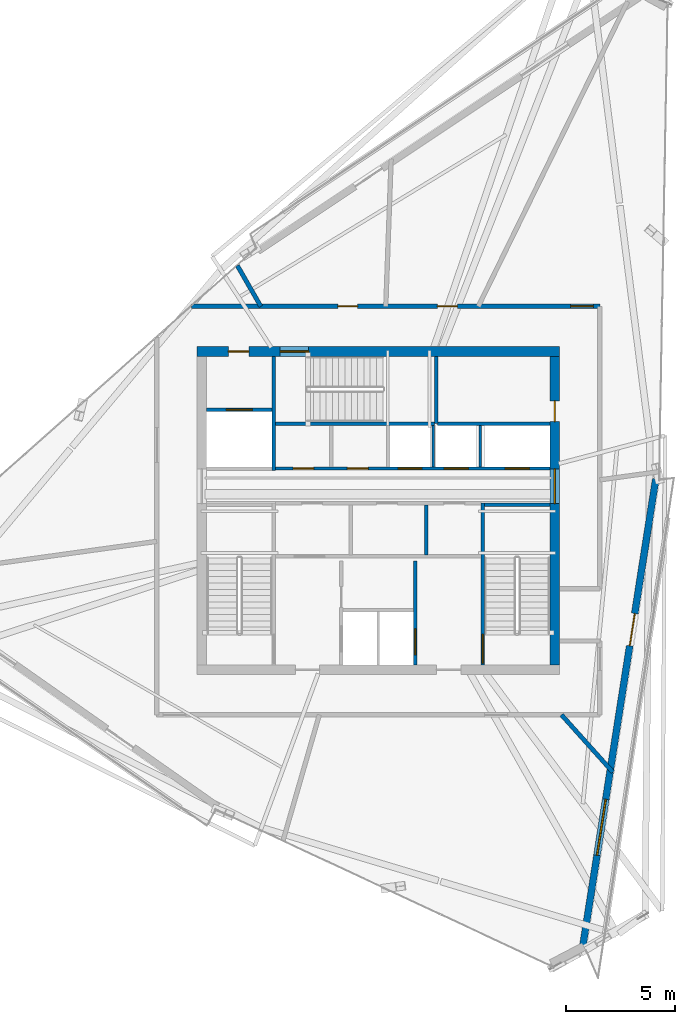
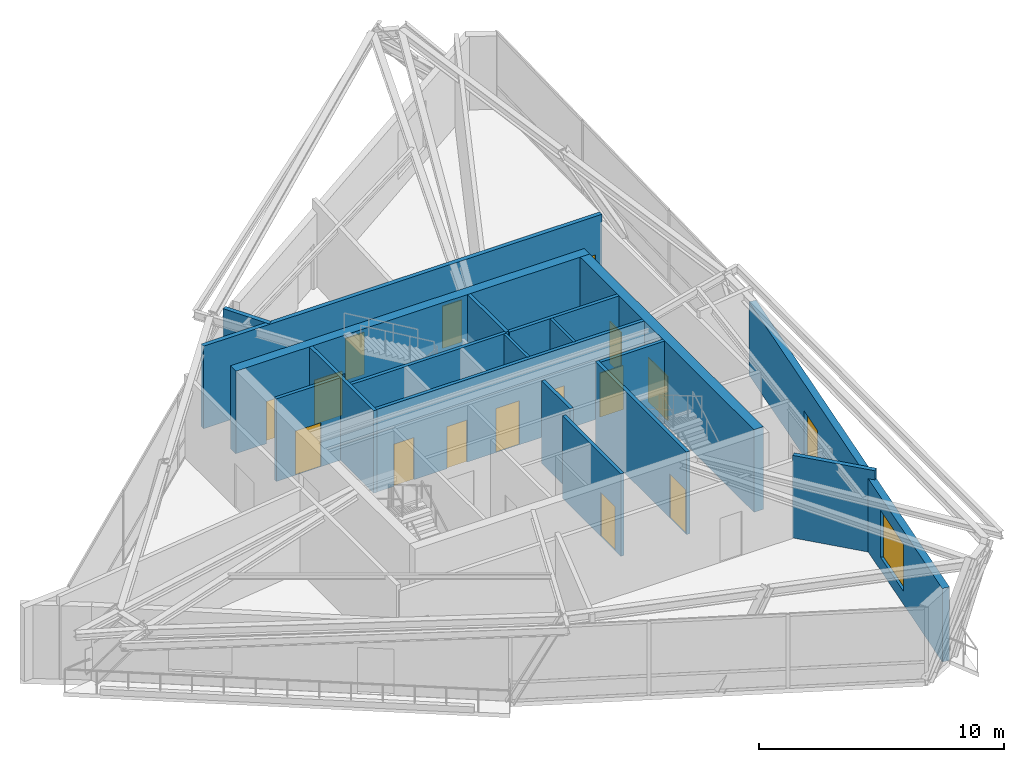
# One storey, part 18 of 22: 18 walls, 16 doors, 1 window, 17 openings.
"""IFC4 building model written with IfcOpenShell, lengths in metres."""

from ifc_helpers import new_model, si_unit, direction, frame, frame_2d, origin, place, context, subcontext, project, spatial, rectangle, extrude, source, transform, mapped, material, layer, layer_set, type_object, type_shapes, element, fill, save


model = new_model("IFC4")

# Units and contexts
model_context = context("Model", 3, precision=1e-05, world=origin(), true_north=direction((0.0, 1.0)))
body_context = subcontext(model_context, "Body", "Model", "MODEL_VIEW")
ifc_project = project(units=[si_unit("LENGTHUNIT", "METRE"), si_unit("AREAUNIT", "SQUARE_METRE"), si_unit("VOLUMEUNIT", "CUBIC_METRE"), si_unit("PLANEANGLEUNIT", "RADIAN"), si_unit("MASSUNIT", "GRAM", prefix="KILO")], contexts=[model_context])

# Site, building, storey
site_placement = place(None, origin())
site = spatial("IfcSite", under=ifc_project, at=site_placement, CompositionType="ELEMENT")
building_placement = place(site_placement, origin())
building = spatial("IfcBuilding", under=site, at=building_placement, Name="Olszyna Solenne Hotel", CompositionType="ELEMENT")
storey_placement = place(building_placement, frame((0.0, 0.0, 286.10009765625)))
storey = spatial("IfcBuildingStorey", under=building, at=storey_placement, Name="L76", CompositionType="ELEMENT", Elevation=286.10009765625)

# Wall, openings, doors
ifc_material_1 = material(Name="Concrete C50/60", Category="concrete")
ifc_layer_1 = layer(ifc_material_1, 0.449951171875, Name="Concrete C50/60")
ifc_layer_set_1 = layer_set([ifc_layer_1], Name="Concrete C50/60")
wall_type_1 = type_object("IfcWallType", Name="WL-CR450", PredefinedType="SHEAR", material=ifc_layer_set_1)
wall_1_placement = place(storey_placement, frame((29.64990234375, 33.925048828125, 0.0), z_axis=(0.0, 0.0, 1.0), x_axis=(1.0, 0.0, 0.0)))
wall_1 = element("IfcWall", 1, at=wall_1_placement, inside=storey, type_object=wall_type_1, Name="Core shear wall WL-CR450 CRW-L76-N", PredefinedType="SHEAR", context=body_context, shape_type="SweptSolid", body=[
    extrude(rectangle(XDim=16.7001953125, YDim=0.449951171875, at=frame_2d((8.35009765625, 0.0))), origin(), (0.0, 0.0, 1.0), 4.119873046875),
])
opening_1_placement = place(wall_1_placement, frame((1.449951171875, 0.0, 0.0)))
opening_1 = element("IfcOpeningElement", 2, at=opening_1_placement, cuts=wall_1, Name="Opening SVD-L76-01", PredefinedType="OPENING", context=body_context, shape_type="SweptSolid", body=[
    extrude(rectangle(XDim=0.949951171875, YDim=2.10009765625, at=frame_2d((0.47509765625, 1.050048828125))), frame((0.0, 0.23486328125, 0.0), z_axis=(0.0, -1.0, 0.0), x_axis=(1.0, 0.0, 0.0)), (0.0, 0.0, 1.0), 0.469970703125),
])
opening_2_placement = place(wall_1_placement, frame((3.830078125, 0.0, 0.0)))
opening_2 = element("IfcOpeningElement", 3, at=opening_2_placement, cuts=wall_1, Name="Opening STD-L76-03", PredefinedType="OPENING", context=body_context, shape_type="SweptSolid", body=[
    extrude(rectangle(XDim=1.320068359375, YDim=2.199951171875, at=frame_2d((0.66015625, 1.10009765625))), frame((0.0, 0.23486328125, 0.0), z_axis=(0.0, -1.0, 0.0), x_axis=(1.0, 0.0, 0.0)), (0.0, 0.0, 1.0), 0.469970703125),
])
ifc_material_2 = material(Name="Steel S355J2", Category="steel")
door_type_1 = type_object("IfcDoorType", Name="DR-ST1", OperationType="NOTDEFINED", PredefinedType="DOOR", material=ifc_material_2)
shared_shape_1 = source(origin(), body_context, "Body", "SweptSolid", [
    extrude(rectangle(XDim=1.320068359375, YDim=2.199951171875, at=frame_2d((0.66015625, 1.10009765625))), frame((0.0, 0.02490234375, 0.0), z_axis=(0.0, -1.0, 0.0), x_axis=(1.0, 0.0, 0.0)), (0.0, 0.0, 1.0), 0.050048828125),
])
type_shapes(door_type_1, [shared_shape_1])
door_1_placement = place(opening_2_placement, origin())
door_1 = element("IfcDoor", 4, at=door_1_placement, inside=storey, type_object=door_type_1, Name="Pressurised exit stair ST3 fire door STD-L76-03", OperationType="SINGLE_SWING_RIGHT", OverallHeight=2.199951171875, OverallWidth=1.320068359375, PredefinedType="DOOR", context=body_context, shape_type="MappedRepresentation", body=[
    mapped(shared_shape_1, transform((0.0, 0.0, 0.0), x_axis=(1.0, 0.0, 0.0), y_axis=(0.0, 1.0, 0.0), z_axis=(0.0, 0.0, 1.0), scale=1.0)),
])
fill(opening_2, door_1)
door_type_2 = type_object("IfcDoorType", Name="DR-SV1", OperationType="NOTDEFINED", PredefinedType="DOOR", material=ifc_material_2)
shared_shape_2 = source(origin(), body_context, "Body", "SweptSolid", [
    extrude(rectangle(XDim=0.949951171875, YDim=2.10009765625, at=frame_2d((0.47509765625, 1.050048828125))), frame((0.0, 0.02490234375, 0.0), z_axis=(0.0, -1.0, 0.0), x_axis=(1.0, 0.0, 0.0)), (0.0, 0.0, 1.0), 0.050048828125),
])
type_shapes(door_type_2, [shared_shape_2])
door_2_placement = place(opening_1_placement, origin())
door_2 = element("IfcDoor", 5, at=door_2_placement, inside=storey, type_object=door_type_2, Name="Service lift lobby fire door SVD-L76-01", OperationType="SINGLE_SWING_LEFT", OverallHeight=2.10009765625, OverallWidth=0.949951171875, PredefinedType="DOOR", context=body_context, shape_type="MappedRepresentation", body=[
    mapped(shared_shape_2, transform((0.0, 0.0, 0.0), x_axis=(1.0, 0.0, 0.0), y_axis=(0.0, 1.0, 0.0), z_axis=(0.0, 0.0, 1.0), scale=1.0)),
])
fill(opening_1, door_2)

wall_2_placement = place(storey_placement, frame((46.125, 33.699951171875, 0.0), z_axis=(0.0, 0.0, 1.0), x_axis=(0.0, -1.0, 0.0)))
wall_2 = element("IfcWall", 6, at=wall_2_placement, inside=storey, type_object=wall_type_1, Name="Core shear wall WL-CR450 CRW-L76-E", PredefinedType="SHEAR", context=body_context, shape_type="SweptSolid", body=[
    extrude(rectangle(XDim=14.199951171875, YDim=0.449951171875, at=frame_2d((7.10009765625, 0.0))), origin(), (0.0, 0.0, 1.0), 4.119873046875),
])
opening_3_placement = place(wall_2_placement, frame((5.179931640625, 0.0, 0.0)))
opening_3 = element("IfcOpeningElement", 7, at=opening_3_placement, cuts=wall_2, Name="Opening LHD-L76-E", PredefinedType="OPENING", context=body_context, shape_type="SweptSolid", body=[
    extrude(rectangle(XDim=1.60009765625, YDim=2.199951171875, at=frame_2d((0.800048828125, 1.10009765625))), frame((0.0, 0.23486328125, 0.0), z_axis=(0.0, -1.0, 0.0), x_axis=(1.0, 0.0, 0.0)), (0.0, 0.0, 1.0), 0.469970703125),
])
opening_4_placement = place(wall_2_placement, frame((2.050048828125, 0.0, 0.0)))
opening_4 = element("IfcOpeningElement", 8, at=opening_4_placement, cuts=wall_2, Name="Opening SVD-L76-BE", PredefinedType="OPENING", context=body_context, shape_type="SweptSolid", body=[
    extrude(rectangle(XDim=0.949951171875, YDim=2.10009765625, at=frame_2d((0.47509765625, 1.050048828125))), frame((0.0, 0.23486328125, 0.0), z_axis=(0.0, -1.0, 0.0), x_axis=(1.0, 0.0, 0.0)), (0.0, 0.0, 1.0), 0.469970703125),
])
door_3_placement = place(opening_4_placement, origin())
door_3 = element("IfcDoor", 9, at=door_3_placement, inside=storey, type_object=door_type_2, Name="Housekeeping core fire door SVD-L76-BE", OperationType="SINGLE_SWING_RIGHT", OverallHeight=2.10009765625, OverallWidth=0.949951171875, PredefinedType="DOOR", context=body_context, shape_type="MappedRepresentation", body=[
    mapped(shared_shape_2, transform((0.0, 0.0, 0.0), x_axis=(1.0, 0.0, 0.0), y_axis=(0.0, 1.0, 0.0), z_axis=(0.0, 0.0, 1.0), scale=1.0)),
])
fill(opening_4, door_3)
ifc_material_3 = material(Name="Timber hardwood", Category="wood")
door_type_3 = type_object("IfcDoorType", Name="DR-CR1", OperationType="DOUBLE_DOOR_SINGLE_SWING", PredefinedType="DOOR", material=ifc_material_3)
shared_shape_3 = source(origin(), body_context, "Body", "SweptSolid", [
    extrude(rectangle(XDim=1.60009765625, YDim=2.199951171875, at=frame_2d((0.800048828125, 1.10009765625))), frame((0.0, 0.02490234375, 0.0), z_axis=(0.0, -1.0, 0.0), x_axis=(1.0, 0.0, 0.0)), (0.0, 0.0, 1.0), 0.050048828125),
])
type_shapes(door_type_3, [shared_shape_3])
door_4_placement = place(opening_3_placement, origin())
door_4 = element("IfcDoor", 10, at=door_4_placement, inside=storey, type_object=door_type_3, Name="Passenger lift lobby East fire door LHD-L76-E", OperationType="DOUBLE_DOOR_SINGLE_SWING", OverallHeight=2.199951171875, OverallWidth=1.60009765625, PredefinedType="DOOR", context=body_context, shape_type="MappedRepresentation", body=[
    mapped(shared_shape_3, transform((0.0, 0.0, 0.0), x_axis=(1.0, 0.0, 0.0), y_axis=(0.0, 1.0, 0.0), z_axis=(0.0, 0.0, 1.0), scale=1.0)),
])
fill(opening_3, door_4)

# Wall, openings, door, window
ifc_material_4 = material(Name="Precast concrete C45/55", Category="concrete")
ifc_layer_2 = layer(ifc_material_4, 0.320068359375, Name="Precast concrete C45/55")
ifc_layer_set_2 = layer_set([ifc_layer_2], Name="Precast concrete C45/55")
wall_type_2 = type_object("IfcWallType", Name="WL-EX320", PredefinedType="SOLIDWALL", material=ifc_layer_set_2)
wall_3_placement = place(storey_placement, frame((50.774169921875, 28.054931640625, 0.0), z_axis=(0.0, 0.0, 1.0), x_axis=(-0.154256631158, -0.988030815179, 0.0)))
wall_3 = element("IfcWall", 11, at=wall_3_placement, inside=storey, type_object=wall_type_2, Name="Exterior terracotta-precast frame wall WL-EX320 EW-L76-01", PredefinedType="SOLIDWALL", context=body_context, shape_type="SweptSolid", body=[
    extrude(rectangle(XDim=21.925048828125, YDim=0.320068359375, at=frame_2d((10.96240234375, 0.0))), origin(), (0.0, 0.0, 1.0), 3.661865234375),
])
opening_5_placement = place(wall_3_placement, frame((6.26611328125, 0.0, 0.0)))
opening_5 = element("IfcOpeningElement", 12, at=opening_5_placement, cuts=wall_3, Name="Opening LDG-L76-3", PredefinedType="OPENING", context=body_context, shape_type="SweptSolid", body=[
    extrude(rectangle(XDim=1.5, YDim=2.300048828125, at=frame_2d((0.75, 1.14990234375))), frame((0.0, 0.169921875, 0.0), z_axis=(0.0, -1.0, 0.0), x_axis=(1.0, 0.0, 0.0)), (0.0, 0.0, 1.0), 0.340087890625),
])
opening_6_placement = place(wall_3_placement, frame((14.924072265625, 0.0, 0.64990234375)))
opening_6 = element("IfcOpeningElement", 13, at=opening_6_placement, cuts=wall_3, Name="Opening WN-L76-500", PredefinedType="OPENING", context=body_context, shape_type="SweptSolid", body=[
    extrude(rectangle(XDim=2.60009765625, YDim=2.35009765625, at=frame_2d((1.300048828125, 1.175048828125))), frame((0.0, 0.169921875, 0.0), z_axis=(0.0, -1.0, 0.0), x_axis=(1.0, 0.0, 0.0)), (0.0, 0.0, 1.0), 0.340087890625),
])
ifc_material_5 = material(Name="Anodised bronze aluminium", Category="aluminium")
door_type_4 = type_object("IfcDoorType", Name="DR-LG2", OperationType="DOUBLE_DOOR_SINGLE_SWING", PredefinedType="DOOR", material=ifc_material_5)
shared_shape_4 = source(origin(), body_context, "Body", "SweptSolid", [
    extrude(rectangle(XDim=1.5, YDim=2.300048828125, at=frame_2d((0.75, 1.14990234375))), frame((0.0, 0.02490234375, 0.0), z_axis=(0.0, -1.0, 0.0), x_axis=(1.0, 0.0, 0.0)), (0.0, 0.0, 1.0), 0.050048828125),
])
type_shapes(door_type_4, [shared_shape_4])
door_5_placement = place(opening_5_placement, origin())
door_5 = element("IfcDoor", 14, at=door_5_placement, inside=storey, type_object=door_type_4, Name="Exterior loggia balcony door DR-LG2 LDG-L76-3", OperationType="DOUBLE_DOOR_SINGLE_SWING", OverallHeight=2.300048828125, OverallWidth=1.5, PredefinedType="DOOR", context=body_context, shape_type="MappedRepresentation", body=[
    mapped(shared_shape_4, transform((0.0, 0.0, 0.0), x_axis=(1.0, 0.0, 0.0), y_axis=(0.0, 1.0, 0.0), z_axis=(0.0, 0.0, 1.0), scale=1.0)),
])
fill(opening_5, door_5)
ifc_material_6 = material(Name="Low-E triple glazing", Category="glass")
window_type = type_object("IfcWindowType", Name="WN-ST1", PartitioningType="SINGLE_PANEL", PredefinedType="WINDOW", material=ifc_material_6)
shared_shape_5 = source(origin(), body_context, "Body", "SweptSolid", [
    extrude(rectangle(XDim=2.60009765625, YDim=2.35009765625, at=frame_2d((1.300048828125, 1.175048828125))), frame((0.0, 0.030029296875, 0.0), z_axis=(0.0, -1.0, 0.0), x_axis=(1.0, 0.0, 0.0)), (0.0, 0.0, 1.0), 0.06005859375),
])
type_shapes(window_type, [shared_shape_5])
window_placement = place(opening_6_placement, origin())
window = element("IfcWindow", 15, at=window_placement, inside=storey, type_object=window_type, Name="Loggia room window WN-ST1 WN-L76-500", OverallHeight=2.35009765625, OverallWidth=2.60009765625, PartitioningType="SINGLE_PANEL", PredefinedType="WINDOW", context=body_context, shape_type="MappedRepresentation", body=[
    mapped(shared_shape_5, transform((0.0, 0.0, 0.0), x_axis=(1.0, 0.0, 0.0), y_axis=(0.0, 1.0, 0.0), z_axis=(0.0, 0.0, 1.0), scale=1.0)),
])
fill(opening_6, window)

# Walls
ifc_material_7 = material(Name="Acoustic gypsum partition", Category="gypsum")
ifc_layer_3 = layer(ifc_material_7, 0.125, Name="Acoustic gypsum partition")
ifc_layer_set_3 = layer_set([ifc_layer_3], Name="Acoustic gypsum partition")
wall_type_3 = type_object("IfcWallType", Name="WL-PT125", PredefinedType="PARTITIONING", material=ifc_layer_set_3)
for number, where, z_axis, x_axis, name in (
    (16, (40.52490234375, 28.60009765625, 0.0), (0.0, 0.0, 1.0), (0.0, 1.0, 0.0), "Core shaft compartment wall CW-L76-DIVEX405"),
    (17, (42.699951171875, 28.60009765625, 0.0), (0.0, 0.0, 1.0), (0.0, 1.0, 0.0), "Core shaft compartment wall CW-L76-DIVEX427"),
):
    element("IfcWall", number, at=place(storey_placement, frame(where, z_axis=z_axis, x_axis=x_axis)), inside=storey, type_object=wall_type_3, Name=name, PredefinedType="PARTITIONING", context=body_context, shape_type="SweptSolid", body=[
        extrude(rectangle(XDim=1.919921875, YDim=0.125, at=frame_2d((0.9599609375, 0.0))), origin(), (0.0, 0.0, 1.0), 4.119873046875),
    ])

# Wall, opening, door
ifc_layer_4 = layer(ifc_material_7, 0.159912109375, Name="Acoustic gypsum partition")
ifc_layer_set_4 = layer_set([ifc_layer_4], Name="Acoustic gypsum partition")
wall_type_4 = type_object("IfcWallType", Name="WL-PT160", PredefinedType="PARTITIONING", material=ifc_layer_set_4)
wall_4_placement = place(storey_placement, frame((42.800048828125, 26.9599609375, 0.0), z_axis=(0.0, 0.0, 1.0), x_axis=(0.0, -1.0, 0.0)))
wall_4 = element("IfcWall", 18, at=wall_4_placement, inside=storey, type_object=wall_type_4, Name="Core shaft compartment wall CW-L76-ST2W", PredefinedType="PARTITIONING", context=body_context, shape_type="SweptSolid", body=[
    extrude(rectangle(XDim=7.4599609375, YDim=0.159912109375, at=frame_2d((3.72998046875, 0.0))), origin(), (0.0, 0.0, 1.0), 4.119873046875),
])
opening_7_placement = place(wall_4_placement, frame((6.06005859375, 0.0, 0.0)))
opening_7 = element("IfcOpeningElement", 19, at=opening_7_placement, cuts=wall_4, Name="Opening STD-L76-02", PredefinedType="OPENING", context=body_context, shape_type="SweptSolid", body=[
    extrude(rectangle(XDim=1.320068359375, YDim=2.199951171875, at=frame_2d((0.66015625, 1.10009765625))), frame((0.0, 0.08984375, 0.0), z_axis=(0.0, -1.0, 0.0), x_axis=(1.0, 0.0, 0.0)), (0.0, 0.0, 1.0), 0.179931640625),
])
door_6_placement = place(opening_7_placement, origin())
door_6 = element("IfcDoor", 20, at=door_6_placement, inside=storey, type_object=door_type_1, Name="Pressurised exit stair ST2 fire door STD-L76-02", OperationType="SINGLE_SWING_RIGHT", OverallHeight=2.199951171875, OverallWidth=1.320068359375, PredefinedType="DOOR", context=body_context, shape_type="MappedRepresentation", body=[
    mapped(shared_shape_1, transform((0.0, 0.0, 0.0), x_axis=(1.0, 0.0, 0.0), y_axis=(0.0, 1.0, 0.0), z_axis=(0.0, 0.0, 1.0), scale=1.0)),
])
fill(opening_7, door_6)

# Walls
wall_5_placement = place(storey_placement, frame((42.8798828125, 26.8798828125, 0.0), z_axis=(0.0, 0.0, 1.0), x_axis=(1.0, 0.0, 0.0)))
element("IfcWall", 21, at=wall_5_placement, inside=storey, type_object=wall_type_4, Name="Core shaft compartment wall CW-L76-ST2N", PredefinedType="PARTITIONING", context=body_context, shape_type="SweptSolid", body=[
    extrude(rectangle(XDim=3.02001953125, YDim=0.159912109375, at=frame_2d((1.510009765625, 0.0))), origin(), (0.0, 0.0, 1.0), 4.119873046875),
])
wall_6_placement = place(storey_placement, frame((33.280029296875, 30.60009765625, 0.0), z_axis=(0.0, 0.0, 1.0), x_axis=(1.0, 0.0, 0.0)))
element("IfcWall", 22, at=wall_6_placement, inside=storey, type_object=wall_type_4, Name="Core shaft compartment wall CW-L76-ST3S", PredefinedType="PARTITIONING", context=body_context, shape_type="SweptSolid", body=[
    extrude(rectangle(XDim=7.300048828125, YDim=0.159912109375, at=frame_2d((3.64990234375, 0.0))), origin(), (0.0, 0.0, 1.0), 4.119873046875),
])
wall_7_placement = place(storey_placement, frame((40.659912109375, 30.60009765625, 0.0), z_axis=(0.0, 0.0, 1.0), x_axis=(0.0, 1.0, 0.0)))
element("IfcWall", 23, at=wall_7_placement, inside=storey, type_object=wall_type_4, Name="Core shaft compartment wall CW-L76-ST3E", PredefinedType="PARTITIONING", context=body_context, shape_type="SweptSolid", body=[
    extrude(rectangle(XDim=3.099853515625, YDim=0.159912109375, at=frame_2d((1.5498046875, 0.0))), origin(), (0.0, 0.0, 1.0), 4.119873046875),
])

# Wall, opening, door
wall_8_placement = place(storey_placement, frame((39.699951171875, 24.280029296875, 0.0), z_axis=(0.0, 0.0, 1.0), x_axis=(0.0, -1.0, 0.0)))
wall_8 = element("IfcWall", 24, at=wall_8_placement, inside=storey, type_object=wall_type_4, Name="Core shaft compartment wall CW-L76-FF2E", PredefinedType="PARTITIONING", context=body_context, shape_type="SweptSolid", body=[
    extrude(rectangle(XDim=4.780029296875, YDim=0.159912109375, at=frame_2d((2.39013671875, 0.0))), origin(), (0.0, 0.0, 1.0), 4.119873046875),
])
opening_8_placement = place(wall_8_placement, frame((3.1201171875, 0.0, 0.0)))
opening_8 = element("IfcOpeningElement", 25, at=opening_8_placement, cuts=wall_8, Name="Opening LD-L76-FF2", PredefinedType="OPENING", context=body_context, shape_type="SweptSolid", body=[
    extrude(rectangle(XDim=1.199951171875, YDim=2.199951171875, at=frame_2d((0.60009765625, 1.10009765625))), frame((0.0, 0.08984375, 0.0), z_axis=(0.0, -1.0, 0.0), x_axis=(1.0, 0.0, 0.0)), (0.0, 0.0, 1.0), 0.179931640625),
])
door_type_5 = type_object("IfcDoorType", Name="LD-FF1", OperationType="DOUBLE_DOOR_SLIDING", PredefinedType="DOOR", material=ifc_material_2)
shared_shape_6 = source(origin(), body_context, "Body", "SweptSolid", [
    extrude(rectangle(XDim=1.199951171875, YDim=2.199951171875, at=frame_2d((0.60009765625, 1.10009765625))), frame((0.0, 0.02490234375, 0.0), z_axis=(0.0, -1.0, 0.0), x_axis=(1.0, 0.0, 0.0)), (0.0, 0.0, 1.0), 0.050048828125),
])
type_shapes(door_type_5, [shared_shape_6])
door_7_placement = place(opening_8_placement, origin())
door_7 = element("IfcDoor", 26, at=door_7_placement, inside=storey, type_object=door_type_5, Name="Firefighters lift FF2 sliding landing door LD-L76-FF2", OperationType="DOUBLE_DOOR_SLIDING", OverallHeight=2.199951171875, OverallWidth=1.199951171875, PredefinedType="DOOR", context=body_context, shape_type="MappedRepresentation", body=[
    mapped(shared_shape_6, transform((0.0, 0.0, 0.0), x_axis=(1.0, 0.0, 0.0), y_axis=(0.0, 1.0, 0.0), z_axis=(0.0, 0.0, 1.0), scale=1.0)),
])
fill(opening_8, door_7)

# Wall
wall_9_placement = place(storey_placement, frame((33.199951171875, 28.43994140625, 0.0), z_axis=(0.0, 0.0, 1.0), x_axis=(0.0, 1.0, 0.0)))
element("IfcWall", 27, at=wall_9_placement, inside=storey, type_object=wall_type_4, Name="Core shaft compartment wall CW-L76-SV1E", PredefinedType="PARTITIONING", context=body_context, shape_type="SweptSolid", body=[
    extrude(rectangle(XDim=5.260009765625, YDim=0.159912109375, at=frame_2d((2.6298828125, 0.0))), origin(), (0.0, 0.0, 1.0), 4.119873046875),
])

# Wall, opening, door
wall_10_placement = place(storey_placement, frame((30.10009765625, 31.239990234375, 0.0), z_axis=(0.0, 0.0, 1.0), x_axis=(1.0, 0.0, 0.0)))
wall_10 = element("IfcWall", 28, at=wall_10_placement, inside=storey, type_object=wall_type_4, Name="Core shaft compartment wall CW-L76-SV1N", PredefinedType="PARTITIONING", context=body_context, shape_type="SweptSolid", body=[
    extrude(rectangle(XDim=3.02001953125, YDim=0.159912109375, at=frame_2d((1.510009765625, 0.0))), origin(), (0.0, 0.0, 1.0), 4.119873046875),
])
opening_9_placement = place(wall_10_placement, frame((0.909912109375, 0.0, 0.0)))
opening_9 = element("IfcOpeningElement", 29, at=opening_9_placement, cuts=wall_10, Name="Opening LD-L76-SV1", PredefinedType="OPENING", context=body_context, shape_type="SweptSolid", body=[
    extrude(rectangle(XDim=1.199951171875, YDim=2.199951171875, at=frame_2d((0.60009765625, 1.10009765625))), frame((0.0, 0.08984375, 0.0), z_axis=(0.0, -1.0, 0.0), x_axis=(1.0, 0.0, 0.0)), (0.0, 0.0, 1.0), 0.179931640625),
])
door_8_placement = place(opening_9_placement, origin())
door_8 = element("IfcDoor", 30, at=door_8_placement, inside=storey, type_object=door_type_5, Name="Service lift SV1 sliding landing door LD-L76-SV1", OperationType="DOUBLE_DOOR_SLIDING", OverallHeight=2.199951171875, OverallWidth=1.199951171875, PredefinedType="DOOR", context=body_context, shape_type="MappedRepresentation", body=[
    mapped(shared_shape_6, transform((0.0, 0.0, 0.0), x_axis=(1.0, 0.0, 0.0), y_axis=(0.0, 1.0, 0.0), z_axis=(0.0, 0.0, 1.0), scale=1.0)),
])
fill(opening_9, door_8)

# Wall
wall_11_placement = place(storey_placement, frame((40.215087890625, 24.56005859375, 0.0), z_axis=(0.0, 0.0, 1.0), x_axis=(0.0, 1.0, 0.0)))
element("IfcWall", 31, at=wall_11_placement, inside=storey, type_object=wall_type_4, Name="Core shaft compartment wall CW-L76-LV7DIV2", PredefinedType="PARTITIONING", context=body_context, shape_type="SweptSolid", body=[
    extrude(rectangle(XDim=2.31005859375, YDim=0.159912109375, at=frame_2d((1.155029296875, 0.0))), origin(), (0.0, 0.0, 1.0), 4.119873046875),
])

# Wall, openings, doors
wall_12_placement = place(storey_placement, frame((33.280029296875, 28.5400390625, 0.0), z_axis=(0.0, 0.0, 1.0), x_axis=(1.0, 0.0, 0.0)))
wall_12 = element("IfcWall", 32, at=wall_12_placement, inside=storey, type_object=wall_type_4, Name="Core shaft compartment wall CW-L76-LRN", PredefinedType="PARTITIONING", context=body_context, shape_type="SweptSolid", body=[
    extrude(rectangle(XDim=12.619873046875, YDim=0.159912109375, at=frame_2d((6.31005859375, 0.0))), origin(), (0.0, 0.0, 1.0), 4.119873046875),
])
opening_10_placement = place(wall_12_placement, frame((0.800048828125, 0.0, 0.0)))
opening_10 = element("IfcOpeningElement", 33, at=opening_10_placement, cuts=wall_12, Name="Opening SVD-L76-L74", PredefinedType="OPENING", context=body_context, shape_type="SweptSolid", body=[
    extrude(rectangle(XDim=0.949951171875, YDim=2.10009765625, at=frame_2d((0.47509765625, 1.050048828125))), frame((0.0, 0.08984375, 0.0), z_axis=(0.0, -1.0, 0.0), x_axis=(1.0, 0.0, 0.0)), (0.0, 0.0, 1.0), 0.179931640625),
])
opening_11_placement = place(wall_12_placement, frame((3.300048828125, 0.0, 0.0)))
opening_11 = element("IfcOpeningElement", 34, at=opening_11_placement, cuts=wall_12, Name="Opening SVD-L76-L75", PredefinedType="OPENING", context=body_context, shape_type="SweptSolid", body=[
    extrude(rectangle(XDim=0.949951171875, YDim=2.10009765625, at=frame_2d((0.47509765625, 1.050048828125))), frame((0.0, 0.08984375, 0.0), z_axis=(0.0, -1.0, 0.0), x_axis=(1.0, 0.0, 0.0)), (0.0, 0.0, 1.0), 0.179931640625),
])
opening_12_placement = place(wall_12_placement, frame((5.6298828125, 0.0, 0.0)))
opening_12 = element("IfcOpeningElement", 35, at=opening_12_placement, cuts=wall_12, Name="Opening LD-L76-EX1", PredefinedType="OPENING", context=body_context, shape_type="SweptSolid", body=[
    extrude(rectangle(XDim=1.10009765625, YDim=2.199951171875, at=frame_2d((0.550048828125, 1.10009765625))), frame((0.0, 0.08984375, 0.0), z_axis=(0.0, -1.0, 0.0), x_axis=(1.0, 0.0, 0.0)), (0.0, 0.0, 1.0), 0.179931640625),
])
opening_13_placement = place(wall_12_placement, frame((7.760009765625, 0.0, 0.0)))
opening_13 = element("IfcOpeningElement", 36, at=opening_13_placement, cuts=wall_12, Name="Opening LD-L76-EX2", PredefinedType="OPENING", context=body_context, shape_type="SweptSolid", body=[
    extrude(rectangle(XDim=1.10009765625, YDim=2.199951171875, at=frame_2d((0.550048828125, 1.10009765625))), frame((0.0, 0.08984375, 0.0), z_axis=(0.0, -1.0, 0.0), x_axis=(1.0, 0.0, 0.0)), (0.0, 0.0, 1.0), 0.179931640625),
])
opening_14_placement = place(wall_12_placement, frame((10.56005859375, 0.0, 0.0)))
opening_14 = element("IfcOpeningElement", 37, at=opening_14_placement, cuts=wall_12, Name="Opening LD-L76-EX3", PredefinedType="OPENING", context=body_context, shape_type="SweptSolid", body=[
    extrude(rectangle(XDim=1.10009765625, YDim=2.199951171875, at=frame_2d((0.550048828125, 1.10009765625))), frame((0.0, 0.08984375, 0.0), z_axis=(0.0, -1.0, 0.0), x_axis=(1.0, 0.0, 0.0)), (0.0, 0.0, 1.0), 0.179931640625),
])
door_9_placement = place(opening_10_placement, origin())
door_9 = element("IfcDoor", 38, at=door_9_placement, inside=storey, type_object=door_type_2, Name="Observation service room fire door SVD-L76-L74", OperationType="SINGLE_SWING_LEFT", OverallHeight=2.10009765625, OverallWidth=0.949951171875, PredefinedType="DOOR", context=body_context, shape_type="MappedRepresentation", body=[
    mapped(shared_shape_2, transform((0.0, 0.0, 0.0), x_axis=(1.0, 0.0, 0.0), y_axis=(0.0, 1.0, 0.0), z_axis=(0.0, 0.0, 1.0), scale=1.0)),
])
fill(opening_10, door_9)
door_10_placement = place(opening_11_placement, origin())
door_10 = element("IfcDoor", 39, at=door_10_placement, inside=storey, type_object=door_type_2, Name="Observation service room fire door SVD-L76-L75", OperationType="SINGLE_SWING_LEFT", OverallHeight=2.10009765625, OverallWidth=0.949951171875, PredefinedType="DOOR", context=body_context, shape_type="MappedRepresentation", body=[
    mapped(shared_shape_2, transform((0.0, 0.0, 0.0), x_axis=(1.0, 0.0, 0.0), y_axis=(0.0, 1.0, 0.0), z_axis=(0.0, 0.0, 1.0), scale=1.0)),
])
fill(opening_11, door_10)
door_type_6 = type_object("IfcDoorType", Name="LD-P1", OperationType="DOUBLE_DOOR_SLIDING", PredefinedType="DOOR", material=ifc_material_2)
shared_shape_7 = source(origin(), body_context, "Body", "SweptSolid", [
    extrude(rectangle(XDim=1.10009765625, YDim=2.199951171875, at=frame_2d((0.550048828125, 1.10009765625))), frame((0.0, 0.02490234375, 0.0), z_axis=(0.0, -1.0, 0.0), x_axis=(1.0, 0.0, 0.0)), (0.0, 0.0, 1.0), 0.050048828125),
])
type_shapes(door_type_6, [shared_shape_7])
door_11_placement = place(opening_12_placement, origin())
door_11 = element("IfcDoor", 40, at=door_11_placement, inside=storey, type_object=door_type_6, Name="Express lift EX1 sliding landing door LD-L76-EX1", OperationType="DOUBLE_DOOR_SLIDING", OverallHeight=2.199951171875, OverallWidth=1.10009765625, PredefinedType="DOOR", context=body_context, shape_type="MappedRepresentation", body=[
    mapped(shared_shape_7, transform((0.0, 0.0, 0.0), x_axis=(1.0, 0.0, 0.0), y_axis=(0.0, 1.0, 0.0), z_axis=(0.0, 0.0, 1.0), scale=1.0)),
])
fill(opening_12, door_11)
door_12_placement = place(opening_13_placement, origin())
door_12 = element("IfcDoor", 41, at=door_12_placement, inside=storey, type_object=door_type_6, Name="Express lift EX2 sliding landing door LD-L76-EX2", OperationType="DOUBLE_DOOR_SLIDING", OverallHeight=2.199951171875, OverallWidth=1.10009765625, PredefinedType="DOOR", context=body_context, shape_type="MappedRepresentation", body=[
    mapped(shared_shape_7, transform((0.0, 0.0, 0.0), x_axis=(1.0, 0.0, 0.0), y_axis=(0.0, 1.0, 0.0), z_axis=(0.0, 0.0, 1.0), scale=1.0)),
])
fill(opening_13, door_12)
door_13_placement = place(opening_14_placement, origin())
door_13 = element("IfcDoor", 42, at=door_13_placement, inside=storey, type_object=door_type_6, Name="Express lift EX3 sliding landing door LD-L76-EX3", OperationType="DOUBLE_DOOR_SLIDING", OverallHeight=2.199951171875, OverallWidth=1.10009765625, PredefinedType="DOOR", context=body_context, shape_type="MappedRepresentation", body=[
    mapped(shared_shape_7, transform((0.0, 0.0, 0.0), x_axis=(1.0, 0.0, 0.0), y_axis=(0.0, 1.0, 0.0), z_axis=(0.0, 0.0, 1.0), scale=1.0)),
])
fill(opening_14, door_13)

# Walls
wall_13_placement = place(storey_placement, frame((40.719970703125, 30.60009765625, 0.0), z_axis=(0.0, 0.0, 1.0), x_axis=(1.0, 0.0, 0.0)))
element("IfcWall", 43, at=wall_13_placement, inside=storey, type_object=wall_type_4, Name="Core shaft compartment wall CW-L76-LRNTOP", PredefinedType="PARTITIONING", context=body_context, shape_type="SweptSolid", body=[
    extrude(rectangle(XDim=5.179931640625, YDim=0.159912109375, at=frame_2d((2.58984375, 0.0))), origin(), (0.0, 0.0, 1.0), 4.119873046875),
])
ifc_layer_5 = layer(ifc_material_7, 0.199951171875, Name="Acoustic gypsum partition")
ifc_layer_set_5 = layer_set([ifc_layer_5], Name="Acoustic gypsum partition")
wall_type_5 = type_object("IfcWallType", Name="WL-PT200", PredefinedType="PARTITIONING", material=ifc_layer_set_5)
wall_14_placement = place(storey_placement, frame((32.5947265625, 36.0, 0.0), z_axis=(0.0, 0.0, 1.0), x_axis=(-0.498441501914, 0.866923335232, 0.0)))
element("IfcWall", 44, at=wall_14_placement, inside=storey, type_object=wall_type_5, Name="Interior acoustic partition WL-PT200 PW-L76-4144", PredefinedType="PARTITIONING", context=body_context, shape_type="SweptSolid", body=[
    extrude(rectangle(XDim=2.16796875, YDim=0.199951171875, at=frame_2d((1.083984375, 0.0))), origin(), (0.0, 0.0, 1.0), 4.119873046875),
])
wall_15_placement = place(storey_placement, frame((46.43408203125, 17.199951171875, 0.0), z_axis=(0.0, 0.0, 1.0), x_axis=(0.667851981074, -0.744294116177, 0.0)))
element("IfcWall", 45, at=wall_15_placement, inside=storey, type_object=wall_type_5, Name="Interior acoustic partition WL-PT200 PW-L76-4147", PredefinedType="PARTITIONING", context=body_context, shape_type="SweptSolid", body=[
    extrude(rectangle(XDim=3.5419921875, YDim=0.199951171875, at=frame_2d((1.77099609375, 0.0))), origin(), (0.0, 0.0, 1.0), 4.119873046875),
])

# Wall, openings, doors
wall_16_placement = place(storey_placement, frame((29.40234375, 36.0, 0.0), z_axis=(0.0, 0.0, 1.0), x_axis=(1.0, 0.0, 0.0)))
wall_16 = element("IfcWall", 46, at=wall_16_placement, inside=storey, type_object=wall_type_5, Name="Interior acoustic partition WL-PT200 PW-L76-4153", PredefinedType="PARTITIONING", context=body_context, shape_type="SweptSolid", body=[
    extrude(rectangle(XDim=18.797607421875, YDim=0.199951171875, at=frame_2d((9.39892578125, 0.0))), origin(), (0.0, 0.0, 1.0), 4.119873046875),
])
opening_15_placement = place(wall_16_placement, frame((17.447998046875, 0.0, 0.0)))
opening_15 = element("IfcOpeningElement", 47, at=opening_15_placement, cuts=wall_16, Name="Opening DR-L76-1003", PredefinedType="OPENING", context=body_context, shape_type="SweptSolid", body=[
    extrude(rectangle(XDim=1.050048828125, YDim=2.199951171875, at=frame_2d((0.52490234375, 1.10009765625))), frame((0.0, 0.10986328125, 0.0), z_axis=(0.0, -1.0, 0.0), x_axis=(1.0, 0.0, 0.0)), (0.0, 0.0, 1.0), 0.219970703125),
])
opening_16_placement = place(wall_16_placement, frame((11.322021484375, 0.0, 0.0)))
opening_16 = element("IfcOpeningElement", 48, at=opening_16_placement, cuts=wall_16, Name="Opening DR-L76-1004", PredefinedType="OPENING", context=body_context, shape_type="SweptSolid", body=[
    extrude(rectangle(XDim=0.919921875, YDim=2.10009765625, at=frame_2d((0.4599609375, 1.050048828125))), frame((0.0, 0.10986328125, 0.0), z_axis=(0.0, -1.0, 0.0), x_axis=(1.0, 0.0, 0.0)), (0.0, 0.0, 1.0), 0.219970703125),
])
opening_17_placement = place(wall_16_placement, frame((6.741943359375, 0.0, 0.0)))
opening_17 = element("IfcOpeningElement", 49, at=opening_17_placement, cuts=wall_16, Name="Opening DR-L76-1005", PredefinedType="OPENING", context=body_context, shape_type="SweptSolid", body=[
    extrude(rectangle(XDim=0.89990234375, YDim=2.10009765625, at=frame_2d((0.449951171875, 1.050048828125))), frame((0.0, 0.10986328125, 0.0), z_axis=(0.0, -1.0, 0.0), x_axis=(1.0, 0.0, 0.0)), (0.0, 0.0, 1.0), 0.219970703125),
])
door_type_7 = type_object("IfcDoorType", Name="DR-WC1", OperationType="NOTDEFINED", PredefinedType="DOOR", material=ifc_material_3)
shared_shape_8 = source(origin(), body_context, "Body", "SweptSolid", [
    extrude(rectangle(XDim=0.89990234375, YDim=2.10009765625, at=frame_2d((0.449951171875, 1.050048828125))), frame((0.0, 0.02490234375, 0.0), z_axis=(0.0, -1.0, 0.0), x_axis=(1.0, 0.0, 0.0)), (0.0, 0.0, 1.0), 0.050048828125),
])
type_shapes(door_type_7, [shared_shape_8])
door_14_placement = place(opening_17_placement, origin())
door_14 = element("IfcDoor", 50, at=door_14_placement, inside=storey, type_object=door_type_7, Name="Accessible Public WC Entrance Door DR-L76-1005", OperationType="SINGLE_SWING_LEFT", OverallHeight=2.10009765625, OverallWidth=0.89990234375, PredefinedType="DOOR", context=body_context, shape_type="MappedRepresentation", body=[
    mapped(shared_shape_8, transform((0.0, 0.0, 0.0), x_axis=(1.0, 0.0, 0.0), y_axis=(0.0, 1.0, 0.0), z_axis=(0.0, 0.0, 1.0), scale=1.0)),
])
fill(opening_17, door_14)
door_type_8 = type_object("IfcDoorType", Name="DR-IN1", OperationType="NOTDEFINED", PredefinedType="DOOR", material=ifc_material_3)
shared_shape_9 = source(origin(), body_context, "Body", "SweptSolid", [
    extrude(rectangle(XDim=0.919921875, YDim=2.10009765625, at=frame_2d((0.4599609375, 1.050048828125))), frame((0.0, 0.02490234375, 0.0), z_axis=(0.0, -1.0, 0.0), x_axis=(1.0, 0.0, 0.0)), (0.0, 0.0, 1.0), 0.050048828125),
])
type_shapes(door_type_8, [shared_shape_9])
door_15_placement = place(opening_16_placement, origin())
door_15 = element("IfcDoor", 51, at=door_15_placement, inside=storey, type_object=door_type_8, Name="Sky Gift Boutique Entrance Door DR-L76-1004", OperationType="SINGLE_SWING_RIGHT", OverallHeight=2.10009765625, OverallWidth=0.919921875, PredefinedType="DOOR", context=body_context, shape_type="MappedRepresentation", body=[
    mapped(shared_shape_9, transform((0.0, 0.0, 0.0), x_axis=(1.0, 0.0, 0.0), y_axis=(0.0, 1.0, 0.0), z_axis=(0.0, 0.0, 1.0), scale=1.0)),
])
fill(opening_16, door_15)
door_type_9 = type_object("IfcDoorType", Name="DR-RM2", OperationType="NOTDEFINED", PredefinedType="DOOR", material=ifc_material_3)
shared_shape_10 = source(origin(), body_context, "Body", "SweptSolid", [
    extrude(rectangle(XDim=1.050048828125, YDim=2.199951171875, at=frame_2d((0.52490234375, 1.10009765625))), frame((0.0, 0.02490234375, 0.0), z_axis=(0.0, -1.0, 0.0), x_axis=(1.0, 0.0, 0.0)), (0.0, 0.0, 1.0), 0.050048828125),
])
type_shapes(door_type_9, [shared_shape_10])
door_16_placement = place(opening_15_placement, origin())
door_16 = element("IfcDoor", 52, at=door_16_placement, inside=storey, type_object=door_type_9, Name="Observatory Audio-Visual Studio Entrance Door DR-L76-1003", OperationType="SINGLE_SWING_LEFT", OverallHeight=2.199951171875, OverallWidth=1.050048828125, PredefinedType="DOOR", context=body_context, shape_type="MappedRepresentation", body=[
    mapped(shared_shape_10, transform((0.0, 0.0, 0.0), x_axis=(1.0, 0.0, 0.0), y_axis=(0.0, 1.0, 0.0), z_axis=(0.0, 0.0, 1.0), scale=1.0)),
])
fill(opening_15, door_16)

save(model, "model.ifc")
